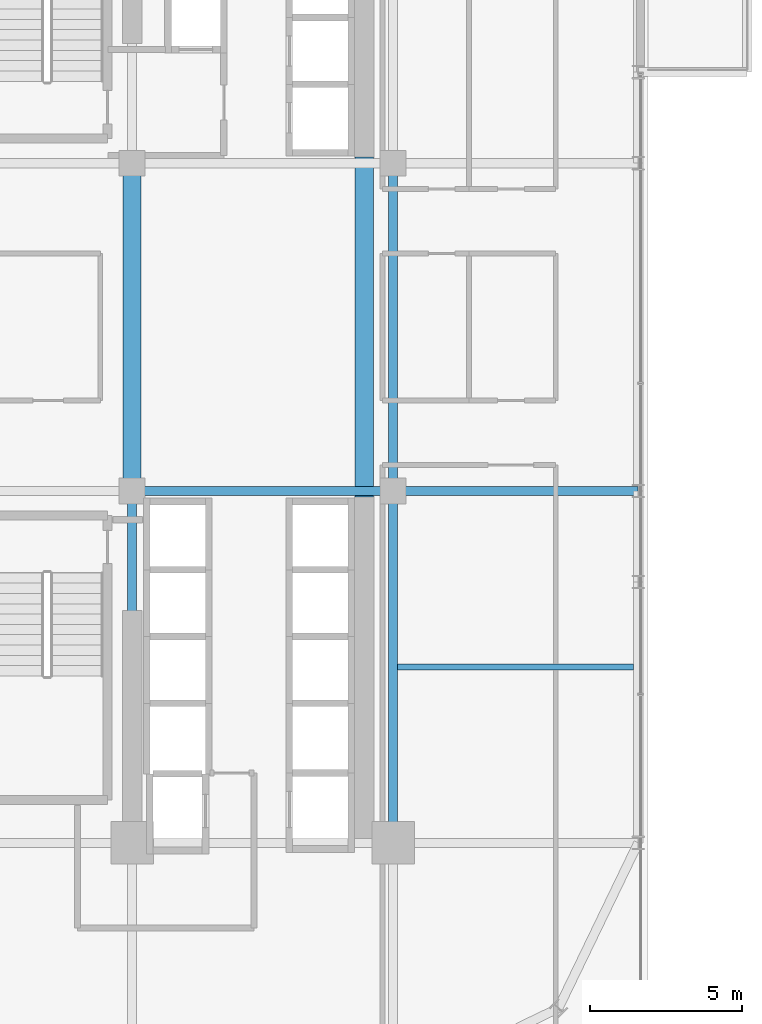
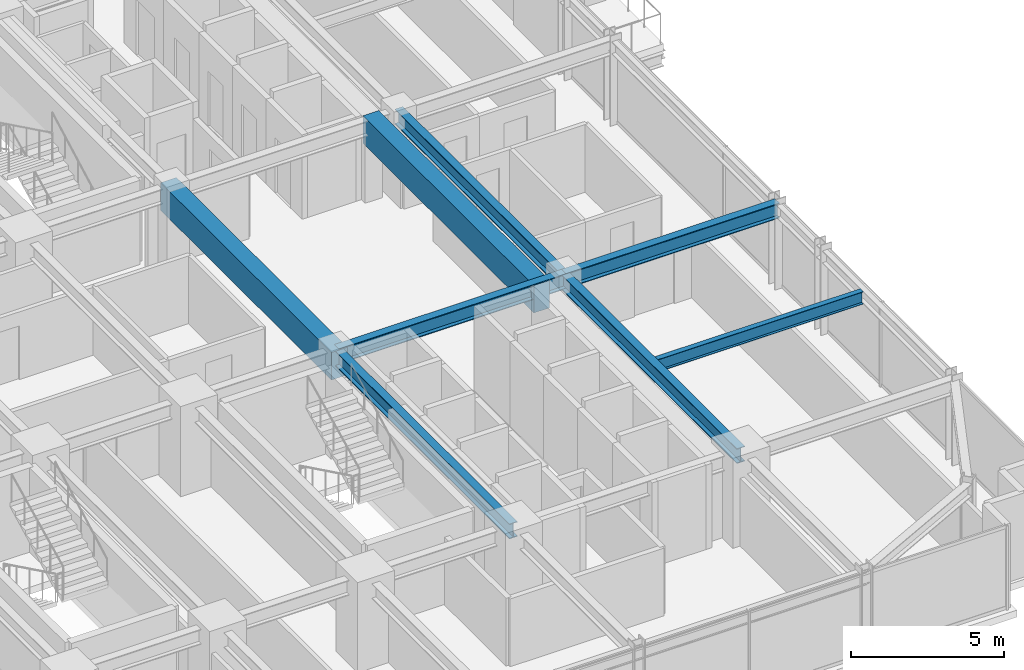
# One storey, part 15 of 36: 8 beams.
"""IFC4 building model written with IfcOpenShell, lengths in metres."""

from ifc_helpers import new_model, si_unit, direction, frame, origin, origin_2d, place, context, subcontext, project, spatial, rectangle, i_section, extrude, source, transform, mapped, material, material_profile, profile_set, type_object, element, save


model = new_model("IFC4")

# Units and contexts
model_context = context("Model", 3, precision=1e-05, world=origin(), true_north=direction((0.0, 1.0)))
body_context = subcontext(model_context, "Body", "Model", "MODEL_VIEW")
ifc_project = project(units=[si_unit("LENGTHUNIT", "METRE"), si_unit("AREAUNIT", "SQUARE_METRE"), si_unit("VOLUMEUNIT", "CUBIC_METRE"), si_unit("PLANEANGLEUNIT", "RADIAN"), si_unit("MASSUNIT", "GRAM", prefix="KILO")], contexts=[model_context])

# Site, building, storey
site_placement = place(None, origin())
site = spatial("IfcSite", under=ifc_project, at=site_placement, CompositionType="ELEMENT")
building_placement = place(site_placement, origin())
building = spatial("IfcBuilding", under=site, at=building_placement, Name="Nahalor Promenade Grand Hotel", CompositionType="ELEMENT")
storey_placement = place(building_placement, frame((0.0, 0.0, 72.550048828125)))
storey = spatial("IfcBuildingStorey", under=building, at=storey_placement, Name="L17", CompositionType="ELEMENT", Elevation=72.550048828125)

# Beams
ifc_material_1 = material(Name="Concrete B-60 (C50/60)", Category="concrete")
ifc_material_profile_1 = material_profile(ifc_material_1, rectangle(XDim=0.6, YDim=1.1, at=origin_2d()), Name="RC 600x1100")
ifc_profile_set_1 = profile_set([ifc_material_profile_1], Name="Concrete B-60 (C50/60)")
beam_type_1 = type_object("IfcBeamType", Name="Beam-Lintel-RC1100", PredefinedType="LINTEL", material=ifc_profile_set_1)
shared_shape_1 = source(origin(), body_context, "Body", "SweptSolid", [
    extrude(rectangle(XDim=0.6, YDim=1.1, at=origin_2d()), origin(), (0.0, 0.0, 1.0), 11.2001953125),
])
for number, where, z_axis, x_axis, name in (
    (1, (8.39990234375, -5.60009765625, 2.820068359375), (0.0, 1.0, 0.0), (-1.0, 0.0, 0.0), "BM-L17-LINT-W"),
    (2, (16.050048828125, -5.60009765625, 2.820068359375), (0.0, 1.0, 0.0), (-1.0, 0.0, 0.0), "BM-L17-LINT-E"),
):
    element("IfcBeam", number, at=place(storey_placement, frame(where, z_axis=z_axis, x_axis=x_axis)), inside=storey, type_object=beam_type_1, Name=name, PredefinedType="LINTEL", context=body_context, shape_type="MappedRepresentation", body=[
        mapped(shared_shape_1, transform((0.0, 0.0, 0.0), scale=1.0)),
    ])
ifc_material_2 = material(Name="Steel S355JR", Category="steel")
ifc_material_profile_2 = material_profile(ifc_material_2, i_section(OverallWidth=0.3, OverallDepth=0.6, WebThickness=0.0155, FlangeThickness=0.03, at=origin_2d()), Name="HEB 600")
ifc_profile_set_2 = profile_set([ifc_material_profile_2], Name="Steel S355JR")
beam_type_2 = type_object("IfcBeamType", Name="Beam-Girder-HEB600", PredefinedType="BEAM", material=ifc_profile_set_2)
shared_shape_2 = source(origin(), body_context, "Body", "SweptSolid", [
    extrude(i_section(OverallWidth=0.3, OverallDepth=0.6, WebThickness=0.0155, FlangeThickness=0.03, at=origin_2d()), origin(), (0.0, 0.0, 1.0), 8.60009765625),
])
beam_1_placement = place(storey_placement, frame((8.39990234375, -5.39990234375, 3.070068359375), z_axis=(1.0, 0.0, 0.0), x_axis=(0.0, 1.0, 0.0)))
element("IfcBeam", 3, at=beam_1_placement, inside=storey, type_object=beam_type_2, Name="BM-L17-GX-1-5", PredefinedType="BEAM", context=body_context, shape_type="MappedRepresentation", body=[
    mapped(shared_shape_2, transform((0.0, 0.0, 0.0), scale=1.0)),
])
shared_shape_3 = source(origin(), body_context, "Body", "SweptSolid", [
    extrude(i_section(OverallWidth=0.3, OverallDepth=0.6, WebThickness=0.0155, FlangeThickness=0.03, at=origin_2d()), origin(), (0.0, 0.0, 1.0), 11.60009765625),
])
for number, where, z_axis, x_axis, name in (
    (4, (8.39990234375, -17.0, 3.070068359375), (0.0, 1.0, 0.0), (-1.0, 0.0, 0.0), "BM-L17-GY-4-1"),
    (5, (17.0, -17.0, 3.070068359375), (0.0, 1.0, 0.0), (-1.0, 0.0, 0.0), "BM-L17-GY-5-1"),
):
    element("IfcBeam", number, at=place(storey_placement, frame(where, z_axis=z_axis, x_axis=x_axis)), inside=storey, type_object=beam_type_2, Name=name, PredefinedType="BEAM", context=body_context, shape_type="MappedRepresentation", body=[
        mapped(shared_shape_3, transform((0.0, 0.0, 0.0), scale=1.0)),
    ])
shared_shape_4 = source(origin(), body_context, "Body", "SweptSolid", [
    extrude(i_section(OverallWidth=0.3, OverallDepth=0.6, WebThickness=0.0155, FlangeThickness=0.03, at=origin_2d()), origin(), (0.0, 0.0, 1.0), 10.7998046875),
])
beam_2_placement = place(storey_placement, frame((17.0, -5.39990234375, 3.070068359375), z_axis=(0.0, 1.0, 0.0), x_axis=(-1.0, 0.0, 0.0)))
element("IfcBeam", 6, at=beam_2_placement, inside=storey, type_object=beam_type_2, Name="BM-L17-GY-5-2", PredefinedType="BEAM", context=body_context, shape_type="MappedRepresentation", body=[
    mapped(shared_shape_4, transform((0.0, 0.0, 0.0), scale=1.0)),
])
shared_shape_5 = source(origin(), body_context, "Body", "SweptSolid", [
    extrude(i_section(OverallWidth=0.3, OverallDepth=0.6, WebThickness=0.0155, FlangeThickness=0.03, at=origin_2d()), origin(), (0.0, 0.0, 1.0), 8.080078125),
])
beam_3_placement = place(storey_placement, frame((17.0, -5.39990234375, 3.070068359375), z_axis=(1.0, 0.0, 0.0), x_axis=(0.0, 1.0, 0.0)))
element("IfcBeam", 7, at=beam_3_placement, inside=storey, type_object=beam_type_2, Name="BM-L17-GX-1-6", PredefinedType="BEAM", context=body_context, shape_type="MappedRepresentation", body=[
    mapped(shared_shape_5, transform((0.0, 0.0, 0.0), scale=1.0)),
])
ifc_material_profile_3 = material_profile(ifc_material_2, i_section(OverallWidth=0.2, OverallDepth=0.5, WebThickness=0.0102, FlangeThickness=0.016, at=origin_2d()), Name="IPE 500")
ifc_profile_set_3 = profile_set([ifc_material_profile_3], Name="Steel S355JR")
beam_type_3 = type_object("IfcBeamType", Name="Beam-Joist-IPE500", PredefinedType="JOIST", material=ifc_profile_set_3)
shared_shape_6 = source(origin(), body_context, "Body", "SweptSolid", [
    extrude(i_section(OverallWidth=0.2, OverallDepth=0.5, WebThickness=0.0102, FlangeThickness=0.016, at=origin_2d()), origin(), (0.0, 0.0, 1.0), 7.780029296875),
])
beam_4_placement = place(storey_placement, frame((17.14990234375, -11.199951171875, 3.119873046875), z_axis=(1.0, 0.0, 0.0), x_axis=(0.0, 1.0, 0.0)))
element("IfcBeam", 8, at=beam_4_placement, inside=storey, type_object=beam_type_3, Name="BM-L17-JSE-0-2", PredefinedType="JOIST", context=body_context, shape_type="MappedRepresentation", body=[
    mapped(shared_shape_6, transform((0.0, 0.0, 0.0), scale=1.0)),
])

save(model, "model.ifc")
